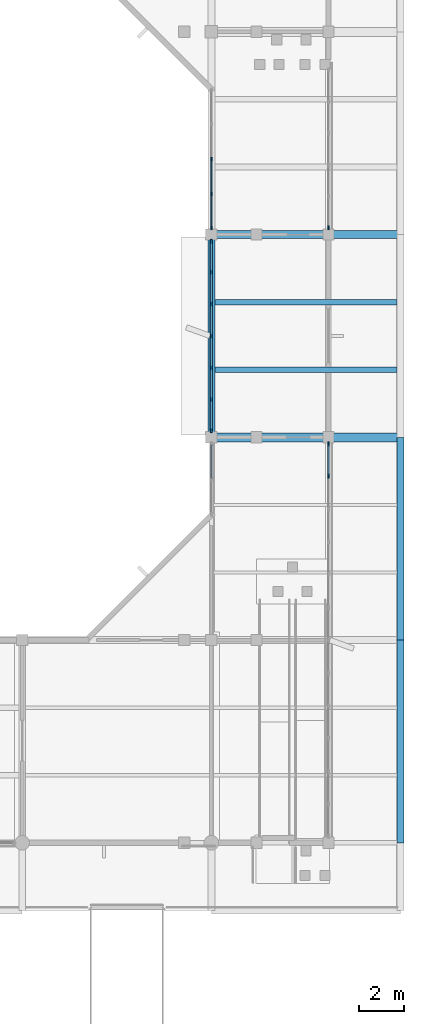
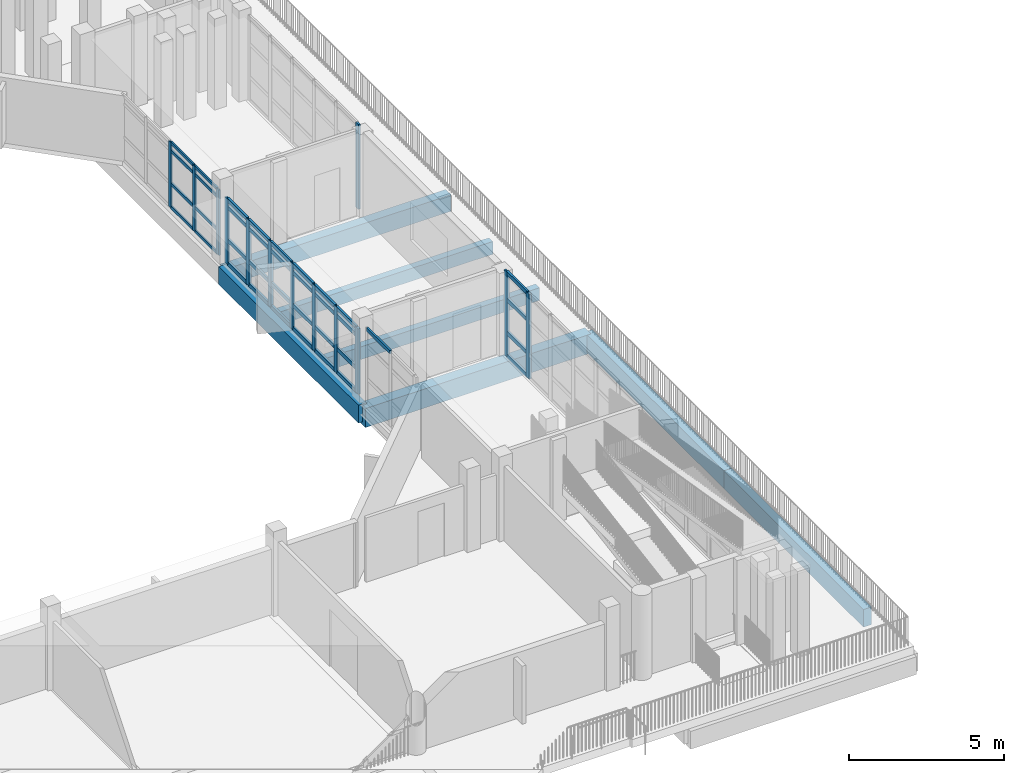
# One storey, part 13 of 51: 50 members, 7 beams, 5 elements without a shape of their own.
"""IFC4 building model written with IfcOpenShell, lengths in metres."""

import ifcopenshell
import ifcopenshell.guid

model = None  # the IFC model being written
_history = None  # IfcOwnerHistory: only IFC2X3 demands one
_inside = {}  # id of a spatial element -> (the spatial element, [elements in it])
_under = {}  # id of a project, library or spatial element -> (it, [spatial elements below it])
_declared = {}  # id of a project -> (the project, [libraries it declares])
_typed = {}  # id of a type object -> (the type object, [elements of that type])
_made_of = {}  # id of a material, layer set ... -> (it, [elements and type objects made of it])


def new_model(schema):
    """Start an empty IFC model of exactly this schema.

    Asked for "IFC4X3", IfcOpenShell would pick the latest addendum, in which some entities
    have other attributes; the version numbers below select the first issue.
    IFC2X3 requires an IfcOwnerHistory on every rooted entity: one is made here for all.
    """
    global model, _history
    if schema == "IFC4X3":
        model = ifcopenshell.file(schema_version=(4, 3, 0, 0))
    else:
        model = ifcopenshell.file(schema=schema)
    _inside.clear()
    _under.clear()
    _declared.clear()
    _typed.clear()
    _made_of.clear()
    _history = None
    if model.schema == "IFC2X3":
        org = make("IfcOrganization", Name="unknown")
        user = make(
            "IfcPersonAndOrganization",
            ThePerson=make("IfcPerson", FamilyName="unknown"),
            TheOrganization=org,
        )
        app = make(
            "IfcApplication",
            ApplicationDeveloper=org,
            Version="unknown",
            ApplicationFullName="unknown",
            ApplicationIdentifier="unknown",
        )
        _history = make(
            "IfcOwnerHistory",
            OwningUser=user,
            OwningApplication=app,
            ChangeAction="ADDED",
            CreationDate=0,
        )
    return model


def make(cls, **values):
    """One entity of the class cls with the attributes given. An attribute that is None is left unset."""
    return model.create_entity(
        cls, **{name: value for name, value in values.items() if value is not None}
    )


def rooted(cls, **values):
    """An entity with a GlobalId (a new one), such as an element, a storey or a relation."""
    return make(cls, GlobalId=ifcopenshell.guid.new(), OwnerHistory=_history, **values)


def si_unit(unit_type, name, prefix=None):
    """IfcSIUnit, for example si_unit("LENGTHUNIT", "METRE", prefix="MILLI")."""
    return make("IfcSIUnit", UnitType=unit_type, Prefix=prefix, Name=name)


def assignment(units):
    """IfcUnitAssignment: the units of a project."""
    return None if units is None else make("IfcUnitAssignment", Units=units)


def point(xyz):
    """IfcCartesianPoint."""
    return None if xyz is None else make("IfcCartesianPoint", Coordinates=xyz)


def direction(xyz):
    """IfcDirection."""
    return None if xyz is None else make("IfcDirection", DirectionRatios=xyz)


def frame(location, z_axis=None, x_axis=None):
    """IfcAxis2Placement3D, a coordinate frame: its origin and axes. An axis left out is left unset."""
    return make(
        "IfcAxis2Placement3D",
        Location=point(location),
        Axis=direction(z_axis),
        RefDirection=direction(x_axis),
    )


def frame_2d(location, x_axis=None):
    """IfcAxis2Placement2D, a coordinate frame in the plane: its origin and x axis."""
    return make(
        "IfcAxis2Placement2D", Location=point(location), RefDirection=direction(x_axis)
    )


def origin():
    """The frame at (0, 0, 0) with its axes left unset."""
    return frame((0.0, 0.0, 0.0))


def origin_2d():
    """The frame at (0, 0) in the plane with its x axis left unset."""
    return frame_2d((0.0, 0.0))


def place(relative_to, where):
    """IfcLocalPlacement: puts the frame where relative to a parent placement (None: the world)."""
    return make(
        "IfcLocalPlacement", PlacementRelTo=relative_to, RelativePlacement=where
    )


def context(
    kind, dimensions, precision=None, world=None, true_north=None, identifier=None
):
    """IfcGeometricRepresentationContext, for example the 3D "Model" context."""
    return make(
        "IfcGeometricRepresentationContext",
        ContextIdentifier=identifier,
        ContextType=kind,
        CoordinateSpaceDimension=dimensions,
        Precision=precision,
        WorldCoordinateSystem=world,
        TrueNorth=true_north,
    )


def subcontext(parent, identifier, kind, view, scale=None):
    """IfcGeometricRepresentationSubContext, for example "Body" below "Model"."""
    return make(
        "IfcGeometricRepresentationSubContext",
        ContextIdentifier=identifier,
        ContextType=kind,
        ParentContext=parent,
        TargetScale=scale,
        TargetView=view,
    )


def project(units=None, contexts=None):
    """IfcProject with its units and contexts."""
    return rooted(
        "IfcProject",
        Name="project",
        RepresentationContexts=contexts,
        UnitsInContext=assignment(units),
    )


def spatial(cls, under=None, at=None, **own):
    """A site, building, storey or space (cls), placed at a placement, below another one or the project."""
    s = rooted(cls, ObjectPlacement=at, **own)
    if under is not None:
        _under.setdefault(under.id(), (under, []))[1].append(s)
    return s


def profile(cls, at=None, kind="AREA", **sizes):
    """A parametric profile (cls). Its sizes go by their IFC names, for example OverallWidth=200.0."""
    return make(cls, ProfileType=kind, Position=at, **sizes)


def rectangle(**sizes):
    """IfcRectangleProfileDef."""
    return profile("IfcRectangleProfileDef", **sizes)


def extrude(swept, where, along, depth):
    """IfcExtrudedAreaSolid: the profile swept, set in the frame where, extruded along a direction by depth."""
    return make(
        "IfcExtrudedAreaSolid",
        SweptArea=swept,
        Position=where,
        ExtrudedDirection=direction(along),
        Depth=depth,
    )


def shape(context_of_items, identifier, shape_type, items):
    """IfcShapeRepresentation: the items that make up one representation, for example the "Body"."""
    return make(
        "IfcShapeRepresentation",
        ContextOfItems=context_of_items,
        RepresentationIdentifier=identifier,
        RepresentationType=shape_type,
        Items=items,
    )


def material(Name=None, Category=None):
    """IfcMaterial."""
    return make("IfcMaterial", Name=Name, Category=Category)


def material_profile(
    of_material, cross_section, Name=None, Category=None, Priority=None
):
    """IfcMaterialProfile: a cross section and its material."""
    return make(
        "IfcMaterialProfile",
        Name=Name,
        Material=of_material,
        Profile=cross_section,
        Priority=Priority,
        Category=Category,
    )


def profile_set(profiles, Name=None, composite=None):
    """IfcMaterialProfileSet."""
    return make(
        "IfcMaterialProfileSet",
        Name=Name,
        MaterialProfiles=profiles,
        CompositeProfile=composite,
    )


def made_of(thing, what):
    """Note that an element or type object is made of a material, layer set ...; save() writes the relation."""
    if what is not None:
        _made_of.setdefault(what.id(), (what, []))[1].append(thing)
    return thing


def type_object(cls, material=None, **own):
    """A type object (cls), such as IfcWallType, which elements share."""
    return made_of(rooted(cls, **own), material)


def element(
    cls,
    number,
    at=None,
    inside=None,
    cuts=None,
    type_object=None,
    material=None,
    context=None,
    identifier="Body",
    shape_type=None,
    held_by="IfcProductDefinitionShape",
    body=None,
    shapes=None,
    **own,
):
    """One element of the class cls, such as IfcWall. Its Tag is "e" and its number.

    at: its placement. inside: the storey or other place that contains it. cuts: it is an
    opening in that element (IfcRelVoidsElement). A single representation is given by context,
    identifier, shape_type and body (its items); several are given by shapes. held_by: the class
    of the entity that holds the representations. save() writes the other relations.
    """
    e = rooted(cls, Tag="e%d" % number, ObjectPlacement=at, **own)
    if body is not None:
        shapes = [shape(context, identifier, shape_type, body)]
    if shapes is not None:
        e.Representation = make(held_by, Representations=shapes)
    if inside is not None:
        _inside.setdefault(inside.id(), (inside, []))[1].append(e)
    if cuts is not None:
        rooted(
            "IfcRelVoidsElement", RelatingBuildingElement=cuts, RelatedOpeningElement=e
        )
    if type_object is not None:
        _typed.setdefault(type_object.id(), (type_object, []))[1].append(e)
    return made_of(e, material)


def aggregate(whole, parts):
    """IfcRelAggregates: a whole, such as a stair, and the parts it consists of."""
    return rooted("IfcRelAggregates", RelatingObject=whole, RelatedObjects=parts)


def save(model, path):
    """Write the relations noted so far, then the file.

    IfcRelAggregates (storeys below a building ...), IfcRelContainedInSpatialStructure (elements
    in a storey), IfcRelDefinesByType, IfcRelAssociatesMaterial and IfcRelDeclares: one each for
    every whole, place, type object, material and project.
    """
    for whole, parts in _under.values():
        aggregate(whole, parts)
    for where, things in _inside.values():
        rooted(
            "IfcRelContainedInSpatialStructure",
            RelatedElements=things,
            RelatingStructure=where,
        )
    for kind, things in _typed.values():
        rooted("IfcRelDefinesByType", RelatedObjects=things, RelatingType=kind)
    for what, things in _made_of.values():
        rooted("IfcRelAssociatesMaterial", RelatedObjects=things, RelatingMaterial=what)
    for by, libraries in _declared.values():
        rooted("IfcRelDeclares", RelatingContext=by, RelatedDefinitions=libraries)
    model.write(path)


model = new_model("IFC4")

# Units and contexts
model_context = context("Model", 3, precision=1e-05, world=origin(), true_north=direction((0.0, 1.0)))
body_context = subcontext(model_context, "Body", "Model", "MODEL_VIEW")
ifc_project = project(units=[si_unit("LENGTHUNIT", "METRE"), si_unit("AREAUNIT", "SQUARE_METRE"), si_unit("VOLUMEUNIT", "CUBIC_METRE"), si_unit("PLANEANGLEUNIT", "RADIAN"), si_unit("MASSUNIT", "GRAM", prefix="KILO")], contexts=[model_context])

# Site, building, storey
site_placement = place(None, origin())
site = spatial("IfcSite", under=ifc_project, at=site_placement, CompositionType="ELEMENT")
building_placement = place(site_placement, origin())
building = spatial("IfcBuilding", under=site, at=building_placement, Name="Vanh Quang Courtyard School", CompositionType="ELEMENT")
storey_placement = place(building_placement, frame((0.0, 0.0, 11.39990234375)))
storey = spatial("IfcBuildingStorey", under=building, at=storey_placement, Name="L03", CompositionType="ELEMENT", Elevation=11.39990234375)

# Beams
ifc_material_1 = material(Name="Concrete C35/45", Category="concrete")
ifc_material_profile_1 = material_profile(ifc_material_1, rectangle(XDim=0.35009765625, YDim=0.64990234375, at=origin_2d()), Name="RC-BM 350x650")
ifc_profile_set_1 = profile_set([ifc_material_profile_1], Name="Concrete C35/45")
beam_type_1 = type_object("IfcBeamType", Name="BM-RC-350x650", PredefinedType="BEAM", material=ifc_profile_set_1)
beam_1_placement = place(storey_placement, frame((111.0, 59.39990234375, -0.64501953125), z_axis=(1.0, 0.0, 0.0), x_axis=(0.0, 1.0, 0.0)))
element("IfcBeam", 1, at=beam_1_placement, inside=storey, type_object=beam_type_1, Name="Beam B-05 (L03)", PredefinedType="BEAM", context=body_context, shape_type="SweptSolid", body=[
    extrude(rectangle(XDim=0.35009765625, YDim=0.64990234375, at=origin_2d()), origin(), (0.0, 0.0, 1.0), 8.39990234375),
])
ifc_material_profile_2 = material_profile(ifc_material_1, rectangle(XDim=0.39990234375, YDim=0.75, at=origin_2d()), Name="RC-BM 400x750")
ifc_profile_set_2 = profile_set([ifc_material_profile_2], Name="Concrete C35/45")
beam_type_2 = type_object("IfcBeamType", Name="BM-RC-400x750", PredefinedType="BEAM", material=ifc_profile_set_2)
beam_2_placement = place(storey_placement, frame((111.0, 50.39990234375, -0.69482421875), z_axis=(1.0, 0.0, 0.0), x_axis=(0.0, 1.0, 0.0)))
element("IfcBeam", 2, at=beam_2_placement, inside=storey, type_object=beam_type_2, Name="Beam B-03 (L03)", PredefinedType="BEAM", context=body_context, shape_type="SweptSolid", body=[
    extrude(rectangle(XDim=0.39990234375, YDim=0.75, at=origin_2d()), origin(), (0.0, 0.0, 1.0), 8.39990234375),
])
ifc_material_profile_3 = material_profile(ifc_material_1, rectangle(XDim=0.300048828125, YDim=0.699951171875, at=origin_2d()), Name="RC-SP 300x700")
ifc_profile_set_3 = profile_set([ifc_material_profile_3], Name="Concrete C35/45")
beam_type_3 = type_object("IfcBeamType", Name="BM-SP-300x700", PredefinedType="SPANDREL", material=ifc_profile_set_3)
for number, where, z_axis, x_axis, name in (
    (3, (111.0, 50.39990234375, -0.60986328125), (0.0, 1.0, 0.0), (-1.0, 0.0, 0.0), "Beam BS-01 (L03)"),
    (4, (119.39990234375, 32.39990234375, -0.669921875), (0.0, 1.0, 0.0), (-1.0, 0.0, 0.0), "Beam BS-01 (L03)"),
    (5, (119.39990234375, 41.39990234375, -0.669921875), (0.0, 1.0, 0.0), (-1.0, 0.0, 0.0), "Beam BS-01 (L03)"),
):
    element("IfcBeam", number, at=place(storey_placement, frame(where, z_axis=z_axis, x_axis=x_axis)), inside=storey, type_object=beam_type_3, Name=name, PredefinedType="SPANDREL", context=body_context, shape_type="SweptSolid", body=[
        extrude(rectangle(XDim=0.300048828125, YDim=0.699951171875, at=origin_2d()), origin(), (0.0, 0.0, 1.0), 9.0),
    ])

# Curtain wall, members
ifc_material_2 = material(Name="Thermally broken aluminium unitised curtain wall", Category="aluminium")
curtain_wall_type_1 = type_object("IfcCurtainWallType", Name="CW-SYS-44", PredefinedType="NOTDEFINED", material=ifc_material_2)
curtain_wall_1_placement = place(storey_placement, origin())
curtain_wall_1 = element("IfcCurtainWall", 6, at=curtain_wall_1_placement, inside=storey, type_object=curtain_wall_type_1, Name="Curtain Wall CW-44 (L03)", PredefinedType="NOTDEFINED")
ifc_material_3 = material(Name="Anodised aluminium 6063-T6", Category="aluminium")
ifc_material_profile_4 = material_profile(ifc_material_3, rectangle(XDim=0.06005859375, YDim=0.159912109375, at=origin_2d()), Name="ALU-MUL 60x160")
ifc_profile_set_4 = profile_set([ifc_material_profile_4], Name="Anodised aluminium 6063-T6")
member_type_1 = type_object("IfcMemberType", Name="CW-MUL-60x160", PredefinedType="MULLION", material=ifc_profile_set_4)
member_1_placement = place(storey_placement, frame((111.0, 59.68798828125, 0.0), z_axis=(0.0, 0.0, 1.0), x_axis=(-1.0, 0.0, 0.0)))
member_1 = element("IfcMember", 7, at=member_1_placement, type_object=member_type_1, Name="CW-44 mullion 1", PredefinedType="MULLION", context=body_context, shape_type="SweptSolid", body=[
    extrude(rectangle(XDim=0.06005859375, YDim=0.159912109375, at=origin_2d()), origin(), (0.0, 0.0, 1.0), 2.580078125),
])
member_2_placement = place(storey_placement, frame((111.0, 61.20751953125, 0.0), z_axis=(0.0, 0.0, 1.0), x_axis=(-1.0, 0.0, 0.0)))
member_2 = element("IfcMember", 8, at=member_2_placement, type_object=member_type_1, Name="CW-44 mullion 2", PredefinedType="MULLION", context=body_context, shape_type="SweptSolid", body=[
    extrude(rectangle(XDim=0.06005859375, YDim=0.159912109375, at=origin_2d()), origin(), (0.0, 0.0, 1.0), 2.580078125),
])
member_3_placement = place(storey_placement, frame((111.0, 62.757080078125, 0.0), z_axis=(0.0, 0.0, 1.0), x_axis=(-1.0, 0.0, 0.0)))
member_3 = element("IfcMember", 9, at=member_3_placement, type_object=member_type_1, Name="CW-44 mullion 3", PredefinedType="MULLION", context=body_context, shape_type="SweptSolid", body=[
    extrude(rectangle(XDim=0.06005859375, YDim=0.159912109375, at=origin_2d()), origin(), (0.0, 0.0, 1.0), 2.580078125),
])

# Curtain wall, member
curtain_wall_type_2 = type_object("IfcCurtainWallType", Name="CW-SYS-59", PredefinedType="NOTDEFINED", material=ifc_material_2)
curtain_wall_2_placement = place(storey_placement, origin())
curtain_wall_2 = element("IfcCurtainWall", 10, at=curtain_wall_2_placement, inside=storey, type_object=curtain_wall_type_2, Name="Curtain Wall CW-59 (L03)", PredefinedType="NOTDEFINED")
ifc_material_profile_5 = material_profile(ifc_material_3, rectangle(XDim=0.070068359375, YDim=0.179931640625, at=origin_2d()), Name="ALU-MUL 70x180")
ifc_profile_set_5 = profile_set([ifc_material_profile_5], Name="Anodised aluminium 6063-T6")
member_type_2 = type_object("IfcMemberType", Name="CW-MUL-70x180", PredefinedType="MULLION", material=ifc_profile_set_5)
member_4_placement = place(storey_placement, frame((116.199951171875, 59.693115234375, 0.0), z_axis=(0.0, 0.0, 1.0), x_axis=(1.0, 0.0, 0.0)))
member_4 = element("IfcMember", 11, at=member_4_placement, type_object=member_type_2, Name="CW-59 mullion 6", PredefinedType="MULLION", context=body_context, shape_type="SweptSolid", body=[
    extrude(rectangle(XDim=0.070068359375, YDim=0.179931640625, at=origin_2d()), origin(), (0.0, 0.0, 1.0), 3.340087890625),
])
aggregate(curtain_wall_2, [member_4])

# Curtain wall, members
curtain_wall_type_3 = type_object("IfcCurtainWallType", Name="CW-SYS-60", PredefinedType="NOTDEFINED", material=ifc_material_2)
curtain_wall_3_placement = place(storey_placement, origin())
curtain_wall_3 = element("IfcCurtainWall", 12, at=curtain_wall_3_placement, inside=storey, type_object=curtain_wall_type_3, Name="Curtain Wall CW-60 (L03)", PredefinedType="NOTDEFINED")
ifc_material_profile_6 = material_profile(ifc_material_3, rectangle(XDim=0.080078125, YDim=0.199951171875, at=origin_2d()), Name="ALU-MUL 80x200")
ifc_profile_set_6 = profile_set([ifc_material_profile_6], Name="Anodised aluminium 6063-T6")
member_type_3 = type_object("IfcMemberType", Name="CW-MUL-80x200", PredefinedType="MULLION", material=ifc_profile_set_6)
member_5_placement = place(storey_placement, frame((116.199951171875, 50.10205078125, 0.0), z_axis=(0.0, 0.0, 1.0), x_axis=(1.0, 0.0, 0.0)))
member_5 = element("IfcMember", 13, at=member_5_placement, type_object=member_type_3, Name="CW-60 mullion 1", PredefinedType="MULLION", context=body_context, shape_type="SweptSolid", body=[
    extrude(rectangle(XDim=0.080078125, YDim=0.199951171875, at=origin_2d()), origin(), (0.0, 0.0, 1.0), 3.340087890625),
])
member_6_placement = place(storey_placement, frame((116.199951171875, 48.68505859375, 0.0), z_axis=(0.0, 0.0, 1.0), x_axis=(1.0, 0.0, 0.0)))
member_6 = element("IfcMember", 14, at=member_6_placement, type_object=member_type_3, Name="CW-60 mullion 2", PredefinedType="MULLION", context=body_context, shape_type="SweptSolid", body=[
    extrude(rectangle(XDim=0.080078125, YDim=0.199951171875, at=origin_2d()), origin(), (0.0, 0.0, 1.0), 3.340087890625),
])

curtain_wall_type_4 = type_object("IfcCurtainWallType", Name="CW-SYS-50", PredefinedType="NOTDEFINED", material=ifc_material_2)
curtain_wall_4_placement = place(storey_placement, origin())
curtain_wall_4 = element("IfcCurtainWall", 15, at=curtain_wall_4_placement, inside=storey, type_object=curtain_wall_type_4, Name="Curtain Wall CW-50 (L03)", PredefinedType="NOTDEFINED")
member_7_placement = place(storey_placement, frame((111.0, 50.697998046875, 0.0), z_axis=(0.0, 0.0, 1.0), x_axis=(-1.0, 0.0, 0.0)))
member_7 = element("IfcMember", 16, at=member_7_placement, type_object=member_type_3, Name="CW-50 mullion 1", PredefinedType="MULLION", context=body_context, shape_type="SweptSolid", body=[
    extrude(rectangle(XDim=0.080078125, YDim=0.199951171875, at=origin_2d()), origin(), (0.0, 0.0, 1.0), 2.580078125),
])
member_8_placement = place(storey_placement, frame((111.0, 52.072021484375, 0.0), z_axis=(0.0, 0.0, 1.0), x_axis=(-1.0, 0.0, 0.0)))
member_8 = element("IfcMember", 17, at=member_8_placement, type_object=member_type_3, Name="CW-50 mullion 2", PredefinedType="MULLION", context=body_context, shape_type="SweptSolid", body=[
    extrude(rectangle(XDim=0.080078125, YDim=0.199951171875, at=origin_2d()), origin(), (0.0, 0.0, 1.0), 2.580078125),
])
member_9_placement = place(storey_placement, frame((111.0, 53.486083984375, 0.0), z_axis=(0.0, 0.0, 1.0), x_axis=(-1.0, 0.0, 0.0)))
member_9 = element("IfcMember", 18, at=member_9_placement, type_object=member_type_3, Name="CW-50 mullion 3", PredefinedType="MULLION", context=body_context, shape_type="SweptSolid", body=[
    extrude(rectangle(XDim=0.080078125, YDim=0.199951171875, at=origin_2d()), origin(), (0.0, 0.0, 1.0), 2.580078125),
])
member_10_placement = place(storey_placement, frame((111.0, 54.89990234375, 0.0), z_axis=(0.0, 0.0, 1.0), x_axis=(-1.0, 0.0, 0.0)))
member_10 = element("IfcMember", 19, at=member_10_placement, type_object=member_type_3, Name="CW-50 mullion 4", PredefinedType="MULLION", context=body_context, shape_type="SweptSolid", body=[
    extrude(rectangle(XDim=0.080078125, YDim=0.199951171875, at=origin_2d()), origin(), (0.0, 0.0, 1.0), 2.580078125),
])
member_11_placement = place(storey_placement, frame((111.0, 56.31396484375, 0.0), z_axis=(0.0, 0.0, 1.0), x_axis=(-1.0, 0.0, 0.0)))
member_11 = element("IfcMember", 20, at=member_11_placement, type_object=member_type_3, Name="CW-50 mullion 5", PredefinedType="MULLION", context=body_context, shape_type="SweptSolid", body=[
    extrude(rectangle(XDim=0.080078125, YDim=0.199951171875, at=origin_2d()), origin(), (0.0, 0.0, 1.0), 2.580078125),
])
member_12_placement = place(storey_placement, frame((111.0, 57.72802734375, 0.0), z_axis=(0.0, 0.0, 1.0), x_axis=(-1.0, 0.0, 0.0)))
member_12 = element("IfcMember", 21, at=member_12_placement, type_object=member_type_3, Name="CW-50 mullion 6", PredefinedType="MULLION", context=body_context, shape_type="SweptSolid", body=[
    extrude(rectangle(XDim=0.080078125, YDim=0.199951171875, at=origin_2d()), origin(), (0.0, 0.0, 1.0), 2.580078125),
])
member_13_placement = place(storey_placement, frame((111.0, 59.10205078125, 0.0), z_axis=(0.0, 0.0, 1.0), x_axis=(-1.0, 0.0, 0.0)))
member_13 = element("IfcMember", 22, at=member_13_placement, type_object=member_type_3, Name="CW-50 mullion 7", PredefinedType="MULLION", context=body_context, shape_type="SweptSolid", body=[
    extrude(rectangle(XDim=0.080078125, YDim=0.199951171875, at=origin_2d()), origin(), (0.0, 0.0, 1.0), 2.580078125),
])

# Member
ifc_material_profile_7 = material_profile(ifc_material_3, rectangle(XDim=0.06005859375, YDim=0.1201171875, at=origin_2d()), Name="ALU-TRN 60x120")
ifc_profile_set_7 = profile_set([ifc_material_profile_7], Name="Anodised aluminium 6063-T6")
member_type_4 = type_object("IfcMemberType", Name="CW-TRN-60x120", PredefinedType="USERDEFINED", material=ifc_profile_set_7)
member_14_placement = place(storey_placement, frame((111.0, 59.718017578125, 0.030029296875), z_axis=(0.0, 1.0, 0.0), x_axis=(-1.0, 0.0, 0.0)))
member_14 = element("IfcMember", 23, at=member_14_placement, type_object=member_type_4, Name="CW-44 transom 1.1", ObjectType="TRANSOM", PredefinedType="USERDEFINED", context=body_context, shape_type="SweptSolid", body=[
    extrude(rectangle(XDim=0.06005859375, YDim=0.1201171875, at=origin_2d()), origin(), (0.0, 0.0, 1.0), 1.45947265625),
])

member_15_placement = place(storey_placement, frame((111.0, 59.718017578125, 0.9501953125), z_axis=(0.0, 1.0, 0.0), x_axis=(-1.0, 0.0, 0.0)))
member_15 = element("IfcMember", 24, at=member_15_placement, type_object=member_type_4, Name="CW-44 transom 1.2", ObjectType="TRANSOM", PredefinedType="USERDEFINED", context=body_context, shape_type="SweptSolid", body=[
    extrude(rectangle(XDim=0.06005859375, YDim=0.1201171875, at=origin_2d()), origin(), (0.0, 0.0, 1.0), 1.45947265625),
])

member_16_placement = place(storey_placement, frame((111.0, 59.718017578125, 2.25), z_axis=(0.0, 1.0, 0.0), x_axis=(-1.0, 0.0, 0.0)))
member_16 = element("IfcMember", 25, at=member_16_placement, type_object=member_type_4, Name="CW-44 transom 1.3", ObjectType="TRANSOM", PredefinedType="USERDEFINED", context=body_context, shape_type="SweptSolid", body=[
    extrude(rectangle(XDim=0.06005859375, YDim=0.1201171875, at=origin_2d()), origin(), (0.0, 0.0, 1.0), 1.45947265625),
])

member_17_placement = place(storey_placement, frame((111.0, 59.718017578125, 2.550048828125), z_axis=(0.0, 1.0, 0.0), x_axis=(-1.0, 0.0, 0.0)))
member_17 = element("IfcMember", 26, at=member_17_placement, type_object=member_type_4, Name="CW-44 transom 1.4", ObjectType="TRANSOM", PredefinedType="USERDEFINED", context=body_context, shape_type="SweptSolid", body=[
    extrude(rectangle(XDim=0.06005859375, YDim=0.1201171875, at=origin_2d()), origin(), (0.0, 0.0, 1.0), 1.45947265625),
])

member_18_placement = place(storey_placement, frame((111.0, 61.237548828125, 0.030029296875), z_axis=(0.0, 1.0, 0.0), x_axis=(-1.0, 0.0, 0.0)))
member_18 = element("IfcMember", 27, at=member_18_placement, type_object=member_type_4, Name="CW-44 transom 2.1", ObjectType="TRANSOM", PredefinedType="USERDEFINED", context=body_context, shape_type="SweptSolid", body=[
    extrude(rectangle(XDim=0.06005859375, YDim=0.1201171875, at=origin_2d()), origin(), (0.0, 0.0, 1.0), 1.489501953125),
])

member_19_placement = place(storey_placement, frame((111.0, 61.237548828125, 0.9501953125), z_axis=(0.0, 1.0, 0.0), x_axis=(-1.0, 0.0, 0.0)))
member_19 = element("IfcMember", 28, at=member_19_placement, type_object=member_type_4, Name="CW-44 transom 2.2", ObjectType="TRANSOM", PredefinedType="USERDEFINED", context=body_context, shape_type="SweptSolid", body=[
    extrude(rectangle(XDim=0.06005859375, YDim=0.1201171875, at=origin_2d()), origin(), (0.0, 0.0, 1.0), 1.489501953125),
])

member_20_placement = place(storey_placement, frame((111.0, 61.237548828125, 2.25), z_axis=(0.0, 1.0, 0.0), x_axis=(-1.0, 0.0, 0.0)))
member_20 = element("IfcMember", 29, at=member_20_placement, type_object=member_type_4, Name="CW-44 transom 2.3", ObjectType="TRANSOM", PredefinedType="USERDEFINED", context=body_context, shape_type="SweptSolid", body=[
    extrude(rectangle(XDim=0.06005859375, YDim=0.1201171875, at=origin_2d()), origin(), (0.0, 0.0, 1.0), 1.489501953125),
])

member_21_placement = place(storey_placement, frame((111.0, 61.237548828125, 2.550048828125), z_axis=(0.0, 1.0, 0.0), x_axis=(-1.0, 0.0, 0.0)))
member_21 = element("IfcMember", 30, at=member_21_placement, type_object=member_type_4, Name="CW-44 transom 2.4", ObjectType="TRANSOM", PredefinedType="USERDEFINED", context=body_context, shape_type="SweptSolid", body=[
    extrude(rectangle(XDim=0.06005859375, YDim=0.1201171875, at=origin_2d()), origin(), (0.0, 0.0, 1.0), 1.489501953125),
])

aggregate(curtain_wall_1, [member_1, member_2, member_3, member_14, member_15, member_16, member_17, member_18, member_19, member_20, member_21])

# Curtain wall, member
curtain_wall_type_5 = type_object("IfcCurtainWallType", Name="CW-SYS-45", PredefinedType="NOTDEFINED", material=ifc_material_2)
curtain_wall_5_placement = place(storey_placement, origin())
curtain_wall_5 = element("IfcCurtainWall", 31, at=curtain_wall_5_placement, inside=storey, type_object=curtain_wall_type_5, Name="Curtain Wall CW-45 (L03)", PredefinedType="NOTDEFINED")
ifc_material_profile_8 = material_profile(ifc_material_3, rectangle(XDim=0.070068359375, YDim=0.139892578125, at=origin_2d()), Name="ALU-TRN 70x140")
ifc_profile_set_8 = profile_set([ifc_material_profile_8], Name="Anodised aluminium 6063-T6")
member_type_5 = type_object("IfcMemberType", Name="CW-TRN-70x140", PredefinedType="USERDEFINED", material=ifc_profile_set_8)
member_22_placement = place(storey_placement, frame((111.0, 48.577880859375, 2.885009765625), z_axis=(0.0, 1.0, 0.0), x_axis=(-1.0, 0.0, 0.0)))
member_22 = element("IfcMember", 32, at=member_22_placement, type_object=member_type_5, Name="CW-45 transom 2.4", ObjectType="TRANSOM", PredefinedType="USERDEFINED", context=body_context, shape_type="SweptSolid", body=[
    extrude(rectangle(XDim=0.070068359375, YDim=0.139892578125, at=origin_2d()), origin(), (0.0, 0.0, 1.0), 1.494140625),
])
aggregate(curtain_wall_5, [member_22])

# Member
ifc_material_profile_9 = material_profile(ifc_material_3, rectangle(XDim=0.080078125, YDim=0.14990234375, at=origin_2d()), Name="ALU-TRN 80x150")
ifc_profile_set_9 = profile_set([ifc_material_profile_9], Name="Anodised aluminium 6063-T6")
member_type_6 = type_object("IfcMemberType", Name="CW-TRN-80x150", PredefinedType="USERDEFINED", material=ifc_profile_set_9)
member_23_placement = place(storey_placement, frame((116.199951171875, 50.06201171875, 0.0400390625), z_axis=(0.0, -1.0, 0.0), x_axis=(1.0, 0.0, 0.0)))
member_23 = element("IfcMember", 33, at=member_23_placement, type_object=member_type_6, Name="CW-60 transom 1.1", ObjectType="TRANSOM", PredefinedType="USERDEFINED", context=body_context, shape_type="SweptSolid", body=[
    extrude(rectangle(XDim=0.080078125, YDim=0.14990234375, at=origin_2d()), origin(), (0.0, 0.0, 1.0), 1.3369140625),
])

member_24_placement = place(storey_placement, frame((116.199951171875, 50.06201171875, 0.9501953125), z_axis=(0.0, -1.0, 0.0), x_axis=(1.0, 0.0, 0.0)))
member_24 = element("IfcMember", 34, at=member_24_placement, type_object=member_type_6, Name="CW-60 transom 1.2", ObjectType="TRANSOM", PredefinedType="USERDEFINED", context=body_context, shape_type="SweptSolid", body=[
    extrude(rectangle(XDim=0.080078125, YDim=0.14990234375, at=origin_2d()), origin(), (0.0, 0.0, 1.0), 1.3369140625),
])

member_25_placement = place(storey_placement, frame((116.199951171875, 50.06201171875, 2.25), z_axis=(0.0, -1.0, 0.0), x_axis=(1.0, 0.0, 0.0)))
member_25 = element("IfcMember", 35, at=member_25_placement, type_object=member_type_6, Name="CW-60 transom 1.3", ObjectType="TRANSOM", PredefinedType="USERDEFINED", context=body_context, shape_type="SweptSolid", body=[
    extrude(rectangle(XDim=0.080078125, YDim=0.14990234375, at=origin_2d()), origin(), (0.0, 0.0, 1.0), 1.3369140625),
])

member_26_placement = place(storey_placement, frame((116.199951171875, 50.06201171875, 3.300048828125), z_axis=(0.0, -1.0, 0.0), x_axis=(1.0, 0.0, 0.0)))
member_26 = element("IfcMember", 36, at=member_26_placement, type_object=member_type_6, Name="CW-60 transom 1.4", ObjectType="TRANSOM", PredefinedType="USERDEFINED", context=body_context, shape_type="SweptSolid", body=[
    extrude(rectangle(XDim=0.080078125, YDim=0.14990234375, at=origin_2d()), origin(), (0.0, 0.0, 1.0), 1.3369140625),
])

aggregate(curtain_wall_3, [member_5, member_6, member_23, member_24, member_25, member_26])

member_27_placement = place(storey_placement, frame((111.0, 50.738037109375, 0.0400390625), z_axis=(0.0, 1.0, 0.0), x_axis=(-1.0, 0.0, 0.0)))
member_27 = element("IfcMember", 37, at=member_27_placement, type_object=member_type_6, Name="CW-50 transom 1.1", ObjectType="TRANSOM", PredefinedType="USERDEFINED", context=body_context, shape_type="SweptSolid", body=[
    extrude(rectangle(XDim=0.080078125, YDim=0.14990234375, at=origin_2d()), origin(), (0.0, 0.0, 1.0), 1.2939453125),
])

member_28_placement = place(storey_placement, frame((111.0, 50.738037109375, 0.9501953125), z_axis=(0.0, 1.0, 0.0), x_axis=(-1.0, 0.0, 0.0)))
member_28 = element("IfcMember", 38, at=member_28_placement, type_object=member_type_6, Name="CW-50 transom 1.2", ObjectType="TRANSOM", PredefinedType="USERDEFINED", context=body_context, shape_type="SweptSolid", body=[
    extrude(rectangle(XDim=0.080078125, YDim=0.14990234375, at=origin_2d()), origin(), (0.0, 0.0, 1.0), 1.2939453125),
])

member_29_placement = place(storey_placement, frame((111.0, 50.738037109375, 2.25), z_axis=(0.0, 1.0, 0.0), x_axis=(-1.0, 0.0, 0.0)))
member_29 = element("IfcMember", 39, at=member_29_placement, type_object=member_type_6, Name="CW-50 transom 1.3", ObjectType="TRANSOM", PredefinedType="USERDEFINED", context=body_context, shape_type="SweptSolid", body=[
    extrude(rectangle(XDim=0.080078125, YDim=0.14990234375, at=origin_2d()), origin(), (0.0, 0.0, 1.0), 1.2939453125),
])

member_30_placement = place(storey_placement, frame((111.0, 50.738037109375, 2.5400390625), z_axis=(0.0, 1.0, 0.0), x_axis=(-1.0, 0.0, 0.0)))
member_30 = element("IfcMember", 40, at=member_30_placement, type_object=member_type_6, Name="CW-50 transom 1.4", ObjectType="TRANSOM", PredefinedType="USERDEFINED", context=body_context, shape_type="SweptSolid", body=[
    extrude(rectangle(XDim=0.080078125, YDim=0.14990234375, at=origin_2d()), origin(), (0.0, 0.0, 1.0), 1.2939453125),
])

member_31_placement = place(storey_placement, frame((111.0, 52.112060546875, 0.0400390625), z_axis=(0.0, 1.0, 0.0), x_axis=(-1.0, 0.0, 0.0)))
member_31 = element("IfcMember", 41, at=member_31_placement, type_object=member_type_6, Name="CW-50 transom 2.1", ObjectType="TRANSOM", PredefinedType="USERDEFINED", context=body_context, shape_type="SweptSolid", body=[
    extrude(rectangle(XDim=0.080078125, YDim=0.14990234375, at=origin_2d()), origin(), (0.0, 0.0, 1.0), 1.333984375),
])

member_32_placement = place(storey_placement, frame((111.0, 52.112060546875, 0.9501953125), z_axis=(0.0, 1.0, 0.0), x_axis=(-1.0, 0.0, 0.0)))
member_32 = element("IfcMember", 42, at=member_32_placement, type_object=member_type_6, Name="CW-50 transom 2.2", ObjectType="TRANSOM", PredefinedType="USERDEFINED", context=body_context, shape_type="SweptSolid", body=[
    extrude(rectangle(XDim=0.080078125, YDim=0.14990234375, at=origin_2d()), origin(), (0.0, 0.0, 1.0), 1.333984375),
])

member_33_placement = place(storey_placement, frame((111.0, 52.112060546875, 2.25), z_axis=(0.0, 1.0, 0.0), x_axis=(-1.0, 0.0, 0.0)))
member_33 = element("IfcMember", 43, at=member_33_placement, type_object=member_type_6, Name="CW-50 transom 2.3", ObjectType="TRANSOM", PredefinedType="USERDEFINED", context=body_context, shape_type="SweptSolid", body=[
    extrude(rectangle(XDim=0.080078125, YDim=0.14990234375, at=origin_2d()), origin(), (0.0, 0.0, 1.0), 1.333984375),
])

member_34_placement = place(storey_placement, frame((111.0, 52.112060546875, 2.5400390625), z_axis=(0.0, 1.0, 0.0), x_axis=(-1.0, 0.0, 0.0)))
member_34 = element("IfcMember", 44, at=member_34_placement, type_object=member_type_6, Name="CW-50 transom 2.4", ObjectType="TRANSOM", PredefinedType="USERDEFINED", context=body_context, shape_type="SweptSolid", body=[
    extrude(rectangle(XDim=0.080078125, YDim=0.14990234375, at=origin_2d()), origin(), (0.0, 0.0, 1.0), 1.333984375),
])

member_35_placement = place(storey_placement, frame((111.0, 53.52587890625, 0.0400390625), z_axis=(0.0, 1.0, 0.0), x_axis=(-1.0, 0.0, 0.0)))
member_35 = element("IfcMember", 45, at=member_35_placement, type_object=member_type_6, Name="CW-50 transom 3.1", ObjectType="TRANSOM", PredefinedType="USERDEFINED", context=body_context, shape_type="SweptSolid", body=[
    extrude(rectangle(XDim=0.080078125, YDim=0.14990234375, at=origin_2d()), origin(), (0.0, 0.0, 1.0), 1.334228515625),
])

member_36_placement = place(storey_placement, frame((111.0, 53.52587890625, 0.9501953125), z_axis=(0.0, 1.0, 0.0), x_axis=(-1.0, 0.0, 0.0)))
member_36 = element("IfcMember", 46, at=member_36_placement, type_object=member_type_6, Name="CW-50 transom 3.2", ObjectType="TRANSOM", PredefinedType="USERDEFINED", context=body_context, shape_type="SweptSolid", body=[
    extrude(rectangle(XDim=0.080078125, YDim=0.14990234375, at=origin_2d()), origin(), (0.0, 0.0, 1.0), 1.334228515625),
])

member_37_placement = place(storey_placement, frame((111.0, 53.52587890625, 2.25), z_axis=(0.0, 1.0, 0.0), x_axis=(-1.0, 0.0, 0.0)))
member_37 = element("IfcMember", 47, at=member_37_placement, type_object=member_type_6, Name="CW-50 transom 3.3", ObjectType="TRANSOM", PredefinedType="USERDEFINED", context=body_context, shape_type="SweptSolid", body=[
    extrude(rectangle(XDim=0.080078125, YDim=0.14990234375, at=origin_2d()), origin(), (0.0, 0.0, 1.0), 1.334228515625),
])

member_38_placement = place(storey_placement, frame((111.0, 53.52587890625, 2.5400390625), z_axis=(0.0, 1.0, 0.0), x_axis=(-1.0, 0.0, 0.0)))
member_38 = element("IfcMember", 48, at=member_38_placement, type_object=member_type_6, Name="CW-50 transom 3.4", ObjectType="TRANSOM", PredefinedType="USERDEFINED", context=body_context, shape_type="SweptSolid", body=[
    extrude(rectangle(XDim=0.080078125, YDim=0.14990234375, at=origin_2d()), origin(), (0.0, 0.0, 1.0), 1.334228515625),
])

member_39_placement = place(storey_placement, frame((111.0, 54.93994140625, 0.0400390625), z_axis=(0.0, 1.0, 0.0), x_axis=(-1.0, 0.0, 0.0)))
member_39 = element("IfcMember", 49, at=member_39_placement, type_object=member_type_6, Name="CW-50 transom 4.1", ObjectType="TRANSOM", PredefinedType="USERDEFINED", context=body_context, shape_type="SweptSolid", body=[
    extrude(rectangle(XDim=0.080078125, YDim=0.14990234375, at=origin_2d()), origin(), (0.0, 0.0, 1.0), 1.333984375),
])

member_40_placement = place(storey_placement, frame((111.0, 54.93994140625, 0.9501953125), z_axis=(0.0, 1.0, 0.0), x_axis=(-1.0, 0.0, 0.0)))
member_40 = element("IfcMember", 50, at=member_40_placement, type_object=member_type_6, Name="CW-50 transom 4.2", ObjectType="TRANSOM", PredefinedType="USERDEFINED", context=body_context, shape_type="SweptSolid", body=[
    extrude(rectangle(XDim=0.080078125, YDim=0.14990234375, at=origin_2d()), origin(), (0.0, 0.0, 1.0), 1.333984375),
])

member_41_placement = place(storey_placement, frame((111.0, 54.93994140625, 2.25), z_axis=(0.0, 1.0, 0.0), x_axis=(-1.0, 0.0, 0.0)))
member_41 = element("IfcMember", 51, at=member_41_placement, type_object=member_type_6, Name="CW-50 transom 4.3", ObjectType="TRANSOM", PredefinedType="USERDEFINED", context=body_context, shape_type="SweptSolid", body=[
    extrude(rectangle(XDim=0.080078125, YDim=0.14990234375, at=origin_2d()), origin(), (0.0, 0.0, 1.0), 1.333984375),
])

member_42_placement = place(storey_placement, frame((111.0, 54.93994140625, 2.5400390625), z_axis=(0.0, 1.0, 0.0), x_axis=(-1.0, 0.0, 0.0)))
member_42 = element("IfcMember", 52, at=member_42_placement, type_object=member_type_6, Name="CW-50 transom 4.4", ObjectType="TRANSOM", PredefinedType="USERDEFINED", context=body_context, shape_type="SweptSolid", body=[
    extrude(rectangle(XDim=0.080078125, YDim=0.14990234375, at=origin_2d()), origin(), (0.0, 0.0, 1.0), 1.333984375),
])

member_43_placement = place(storey_placement, frame((111.0, 56.35400390625, 0.0400390625), z_axis=(0.0, 1.0, 0.0), x_axis=(-1.0, 0.0, 0.0)))
member_43 = element("IfcMember", 53, at=member_43_placement, type_object=member_type_6, Name="CW-50 transom 5.1", ObjectType="TRANSOM", PredefinedType="USERDEFINED", context=body_context, shape_type="SweptSolid", body=[
    extrude(rectangle(XDim=0.080078125, YDim=0.14990234375, at=origin_2d()), origin(), (0.0, 0.0, 1.0), 1.333984375),
])

member_44_placement = place(storey_placement, frame((111.0, 56.35400390625, 0.9501953125), z_axis=(0.0, 1.0, 0.0), x_axis=(-1.0, 0.0, 0.0)))
member_44 = element("IfcMember", 54, at=member_44_placement, type_object=member_type_6, Name="CW-50 transom 5.2", ObjectType="TRANSOM", PredefinedType="USERDEFINED", context=body_context, shape_type="SweptSolid", body=[
    extrude(rectangle(XDim=0.080078125, YDim=0.14990234375, at=origin_2d()), origin(), (0.0, 0.0, 1.0), 1.333984375),
])

member_45_placement = place(storey_placement, frame((111.0, 56.35400390625, 2.25), z_axis=(0.0, 1.0, 0.0), x_axis=(-1.0, 0.0, 0.0)))
member_45 = element("IfcMember", 55, at=member_45_placement, type_object=member_type_6, Name="CW-50 transom 5.3", ObjectType="TRANSOM", PredefinedType="USERDEFINED", context=body_context, shape_type="SweptSolid", body=[
    extrude(rectangle(XDim=0.080078125, YDim=0.14990234375, at=origin_2d()), origin(), (0.0, 0.0, 1.0), 1.333984375),
])

member_46_placement = place(storey_placement, frame((111.0, 56.35400390625, 2.5400390625), z_axis=(0.0, 1.0, 0.0), x_axis=(-1.0, 0.0, 0.0)))
member_46 = element("IfcMember", 56, at=member_46_placement, type_object=member_type_6, Name="CW-50 transom 5.4", ObjectType="TRANSOM", PredefinedType="USERDEFINED", context=body_context, shape_type="SweptSolid", body=[
    extrude(rectangle(XDim=0.080078125, YDim=0.14990234375, at=origin_2d()), origin(), (0.0, 0.0, 1.0), 1.333984375),
])

member_47_placement = place(storey_placement, frame((111.0, 57.76806640625, 0.0400390625), z_axis=(0.0, 1.0, 0.0), x_axis=(-1.0, 0.0, 0.0)))
member_47 = element("IfcMember", 57, at=member_47_placement, type_object=member_type_6, Name="CW-50 transom 6.1", ObjectType="TRANSOM", PredefinedType="USERDEFINED", context=body_context, shape_type="SweptSolid", body=[
    extrude(rectangle(XDim=0.080078125, YDim=0.14990234375, at=origin_2d()), origin(), (0.0, 0.0, 1.0), 1.2939453125),
])

member_48_placement = place(storey_placement, frame((111.0, 57.76806640625, 0.9501953125), z_axis=(0.0, 1.0, 0.0), x_axis=(-1.0, 0.0, 0.0)))
member_48 = element("IfcMember", 58, at=member_48_placement, type_object=member_type_6, Name="CW-50 transom 6.2", ObjectType="TRANSOM", PredefinedType="USERDEFINED", context=body_context, shape_type="SweptSolid", body=[
    extrude(rectangle(XDim=0.080078125, YDim=0.14990234375, at=origin_2d()), origin(), (0.0, 0.0, 1.0), 1.2939453125),
])

member_49_placement = place(storey_placement, frame((111.0, 57.76806640625, 2.25), z_axis=(0.0, 1.0, 0.0), x_axis=(-1.0, 0.0, 0.0)))
member_49 = element("IfcMember", 59, at=member_49_placement, type_object=member_type_6, Name="CW-50 transom 6.3", ObjectType="TRANSOM", PredefinedType="USERDEFINED", context=body_context, shape_type="SweptSolid", body=[
    extrude(rectangle(XDim=0.080078125, YDim=0.14990234375, at=origin_2d()), origin(), (0.0, 0.0, 1.0), 1.2939453125),
])

member_50_placement = place(storey_placement, frame((111.0, 57.76806640625, 2.5400390625), z_axis=(0.0, 1.0, 0.0), x_axis=(-1.0, 0.0, 0.0)))
member_50 = element("IfcMember", 60, at=member_50_placement, type_object=member_type_6, Name="CW-50 transom 6.4", ObjectType="TRANSOM", PredefinedType="USERDEFINED", context=body_context, shape_type="SweptSolid", body=[
    extrude(rectangle(XDim=0.080078125, YDim=0.14990234375, at=origin_2d()), origin(), (0.0, 0.0, 1.0), 1.2939453125),
])

aggregate(curtain_wall_4, [member_7, member_8, member_9, member_10, member_11, member_12, member_13, member_27, member_28, member_29, member_30, member_31, member_32, member_33, member_34, member_35, member_36, member_37, member_38, member_39, member_40, member_41, member_42, member_43, member_44, member_45, member_46, member_47, member_48, member_49, member_50])

# Beams
ifc_material_4 = material(Name="Concrete C30/37", Category="concrete")
ifc_material_profile_10 = material_profile(ifc_material_4, rectangle(XDim=0.25, YDim=0.5, at=origin_2d()), Name="RC-JST 250x500")
ifc_profile_set_10 = profile_set([ifc_material_profile_10], Name="Concrete C30/37")
beam_type_4 = type_object("IfcBeamType", Name="JST-RC-250x500", PredefinedType="JOIST", material=ifc_profile_set_10)
for number, where, z_axis, x_axis, name in (
    (61, (111.14990234375, 53.39990234375, -0.56982421875), (1.0, 0.0, 0.0), (0.0, 1.0, 0.0), "Beam BJ-01 (L03)"),
    (62, (111.14990234375, 56.39990234375, -0.56982421875), (1.0, 0.0, 0.0), (0.0, 1.0, 0.0), "Beam BJ-01 (L03)"),
):
    element("IfcBeam", number, at=place(storey_placement, frame(where, z_axis=z_axis, x_axis=x_axis)), inside=storey, type_object=beam_type_4, Name=name, PredefinedType="JOIST", context=body_context, shape_type="SweptSolid", body=[
        extrude(rectangle(XDim=0.25, YDim=0.5, at=origin_2d()), origin(), (0.0, 0.0, 1.0), 8.10009765625),
    ])

save(model, "model.ifc")
